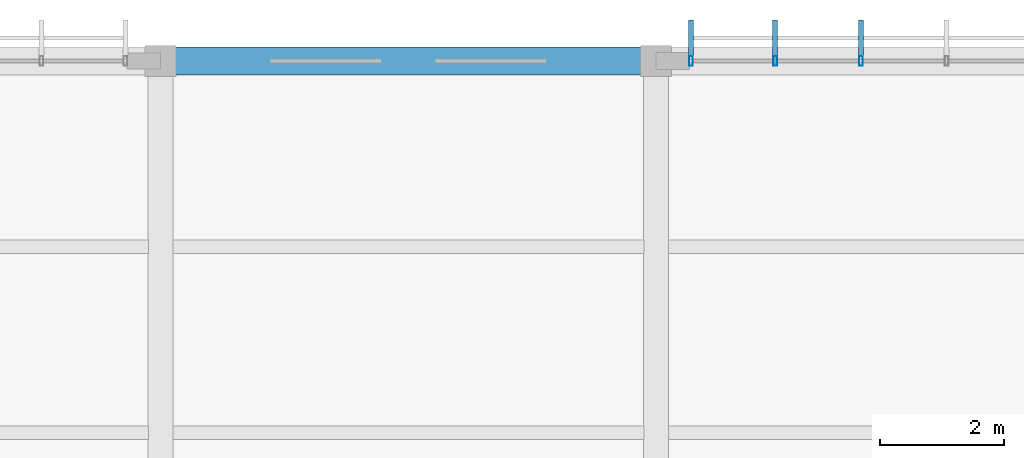
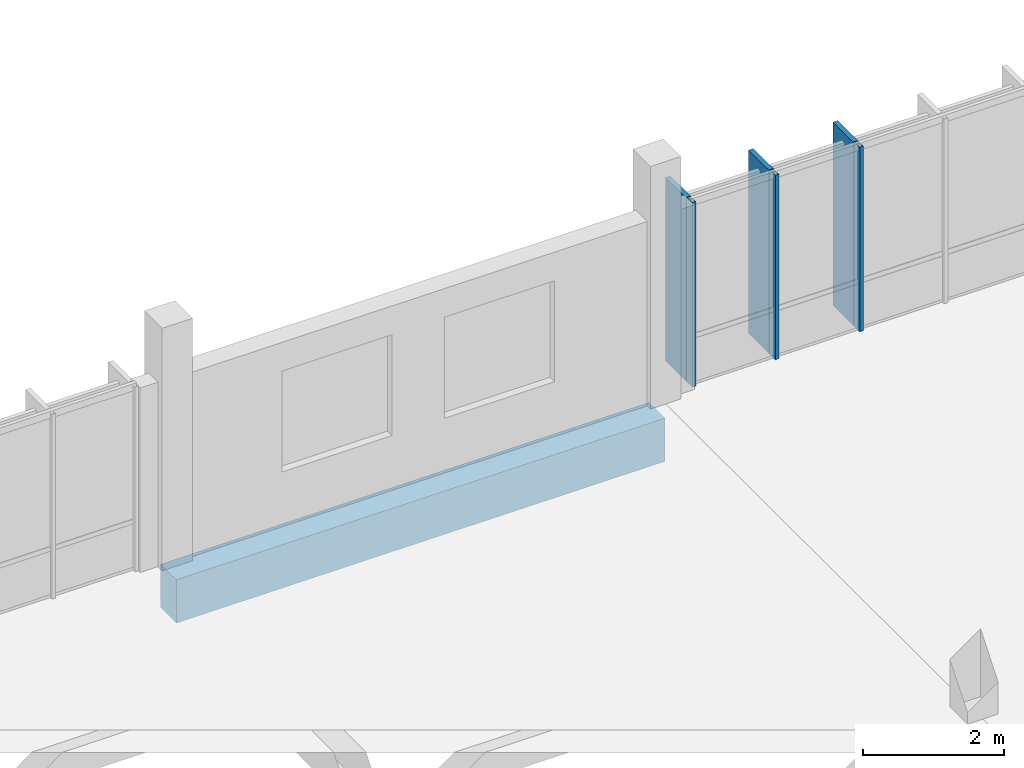
# One storey, part 64 of 107: 6 members, 1 beam, 1 element without a shape of its own.
"""IFC4 building model written with IfcOpenShell, lengths in metres."""

from ifc_helpers import new_model, si_unit, direction, frame, origin, origin_2d, place, context, subcontext, project, spatial, rectangle, hollow_rectangle, extrude, material, material_profile, profile_set, type_object, element, aggregate, save


model = new_model("IFC4")

# Units and contexts
model_context = context("Model", 3, precision=1e-05, world=origin(), true_north=direction((0.0, 1.0)))
body_context = subcontext(model_context, "Body", "Model", "MODEL_VIEW")
ifc_project = project(units=[si_unit("LENGTHUNIT", "METRE"), si_unit("AREAUNIT", "SQUARE_METRE"), si_unit("VOLUMEUNIT", "CUBIC_METRE"), si_unit("PLANEANGLEUNIT", "RADIAN"), si_unit("MASSUNIT", "GRAM", prefix="KILO")], contexts=[model_context])

# Site, building, storey
site_placement = place(None, origin())
site = spatial("IfcSite", under=ifc_project, at=site_placement, CompositionType="ELEMENT")
building_placement = place(site_placement, origin())
building = spatial("IfcBuilding", under=site, at=building_placement, Name="Chiffa Square Polytechnic", CompositionType="ELEMENT")
storey_placement = place(building_placement, frame((0.0, 0.0, 13.800048828125)))
storey = spatial("IfcBuildingStorey", under=building, at=storey_placement, Name="L03", CompositionType="ELEMENT", Elevation=13.800048828125)

# Beam
ifc_material_1 = material(Name="Concrete C35/45", Category="concrete")
ifc_material_profile_1 = material_profile(ifc_material_1, rectangle(XDim=0.449951171875, YDim=0.75, at=origin_2d()), Name="RC 450x750")
ifc_profile_set_1 = profile_set([ifc_material_profile_1], Name="Concrete C35/45")
beam_type = type_object("IfcBeamType", Name="BM-RC-450X750", PredefinedType="BEAM", material=ifc_profile_set_1)
beam_placement = place(storey_placement, frame((16.0, 130.800048828125, -0.635009765625), z_axis=(1.0, 0.0, 0.0), x_axis=(0.0, 1.0, 0.0)))
element("IfcBeam", 1, at=beam_placement, inside=storey, type_object=beam_type, Name="Primary floor girder BM-V5-L03-X-0160-1308", PredefinedType="BEAM", context=body_context, shape_type="SweptSolid", body=[
    extrude(rectangle(XDim=0.449951171875, YDim=0.75, at=origin_2d()), origin(), (0.0, 0.0, 1.0), 8.0),
])

# Curtain wall, members
ifc_material_2 = material(Name="Aluminium EN AW-6060 T66 and glulam shading", Category="wood")
curtain_wall_type = type_object("IfcCurtainWallType", Name="CW-VERT-360X380", PredefinedType="USERDEFINED", material=ifc_material_2)
curtain_wall_placement = place(storey_placement, origin())
curtain_wall = element("IfcCurtainWall", 2, at=curtain_wall_placement, inside=storey, type_object=curtain_wall_type, Name="Curtain wall CW-V5-L03-237", ObjectType="CURTAIN WALL", PredefinedType="USERDEFINED")
ifc_material_3 = material(Name="Aluminium EN AW-6060 T66", Category="aluminium")
ifc_material_profile_2 = material_profile(ifc_material_3, hollow_rectangle(XDim=0.06005859375, YDim=0.159912109375, WallThickness=0.00390625, at=origin_2d()), Name="ALU 60x160x4")
ifc_profile_set_2 = profile_set([ifc_material_profile_2], Name="Aluminium EN AW-6060 T66")
member_type_1 = type_object("IfcMemberType", Name="CWM-ALU-65X150", PredefinedType="MULLION", material=ifc_profile_set_2)
member_1_placement = place(storey_placement, frame((27.30810546875, 130.800048828125, 0.0), z_axis=(0.0, 0.0, 1.0), x_axis=(1.0, 0.0, 0.0)))
member_1 = element("IfcMember", 3, at=member_1_placement, type_object=member_type_1, Name="Curtain wall mullion CW-V5-L03-237-M03", PredefinedType="MULLION", context=body_context, shape_type="SweptSolid", body=[
    extrude(hollow_rectangle(XDim=0.06005859375, YDim=0.159912109375, WallThickness=0.00390625, at=origin_2d()), origin(), (0.0, 0.0, 1.0), 3.195068359375),
])
member_2_placement = place(storey_placement, frame((25.924072265625, 130.800048828125, 0.0), z_axis=(0.0, 0.0, 1.0), x_axis=(1.0, 0.0, 0.0)))
member_2 = element("IfcMember", 4, at=member_2_placement, type_object=member_type_1, Name="Curtain wall mullion CW-V5-L03-237-M04", PredefinedType="MULLION", context=body_context, shape_type="SweptSolid", body=[
    extrude(hollow_rectangle(XDim=0.06005859375, YDim=0.159912109375, WallThickness=0.00390625, at=origin_2d()), origin(), (0.0, 0.0, 1.0), 3.195068359375),
])
member_3_placement = place(storey_placement, frame((24.56494140625, 130.800048828125, 0.0), z_axis=(0.0, 0.0, 1.0), x_axis=(1.0, 0.0, 0.0)))
member_3 = element("IfcMember", 5, at=member_3_placement, type_object=member_type_1, Name="Curtain wall mullion CW-V5-L03-237-M05", PredefinedType="MULLION", context=body_context, shape_type="SweptSolid", body=[
    extrude(hollow_rectangle(XDim=0.06005859375, YDim=0.159912109375, WallThickness=0.00390625, at=origin_2d()), origin(), (0.0, 0.0, 1.0), 3.195068359375),
])
ifc_material_4 = material(Name="Glulam GL28h", Category="wood")
ifc_material_profile_3 = material_profile(ifc_material_4, rectangle(XDim=0.080078125, YDim=0.580078125, at=origin_2d()), Name="GL28h 80x580")
ifc_profile_set_3 = profile_set([ifc_material_profile_3], Name="Glulam GL28h")
member_type_2 = type_object("IfcMemberType", Name="CWM-GL-80X580", PredefinedType="MULLION", material=ifc_profile_set_3)
member_4_placement = place(storey_placement, frame((27.30810546875, 131.172119140625, 0.010009765625), z_axis=(0.0, 0.0, 1.0), x_axis=(-1.0, 0.0, 0.0)))
member_4 = element("IfcMember", 6, at=member_4_placement, type_object=member_type_2, Name="Exterior glulam solar fin CW-V5-L03-237-FN03", PredefinedType="MULLION", context=body_context, shape_type="SweptSolid", body=[
    extrude(rectangle(XDim=0.080078125, YDim=0.580078125, at=origin_2d()), origin(), (0.0, 0.0, 1.0), 3.175048828125),
])
member_5_placement = place(storey_placement, frame((25.924072265625, 131.172119140625, 0.010009765625), z_axis=(0.0, 0.0, 1.0), x_axis=(-1.0, 0.0, 0.0)))
member_5 = element("IfcMember", 7, at=member_5_placement, type_object=member_type_2, Name="Exterior glulam solar fin CW-V5-L03-237-FN04", PredefinedType="MULLION", context=body_context, shape_type="SweptSolid", body=[
    extrude(rectangle(XDim=0.080078125, YDim=0.580078125, at=origin_2d()), origin(), (0.0, 0.0, 1.0), 3.175048828125),
])
member_6_placement = place(storey_placement, frame((24.56494140625, 131.172119140625, 0.010009765625), z_axis=(0.0, 0.0, 1.0), x_axis=(-1.0, 0.0, 0.0)))
member_6 = element("IfcMember", 8, at=member_6_placement, type_object=member_type_2, Name="Exterior glulam solar fin CW-V5-L03-237-FN05", PredefinedType="MULLION", context=body_context, shape_type="SweptSolid", body=[
    extrude(rectangle(XDim=0.080078125, YDim=0.580078125, at=origin_2d()), origin(), (0.0, 0.0, 1.0), 3.175048828125),
])
aggregate(curtain_wall, [member_1, member_4, member_2, member_5, member_3, member_6])

save(model, "model.ifc")
